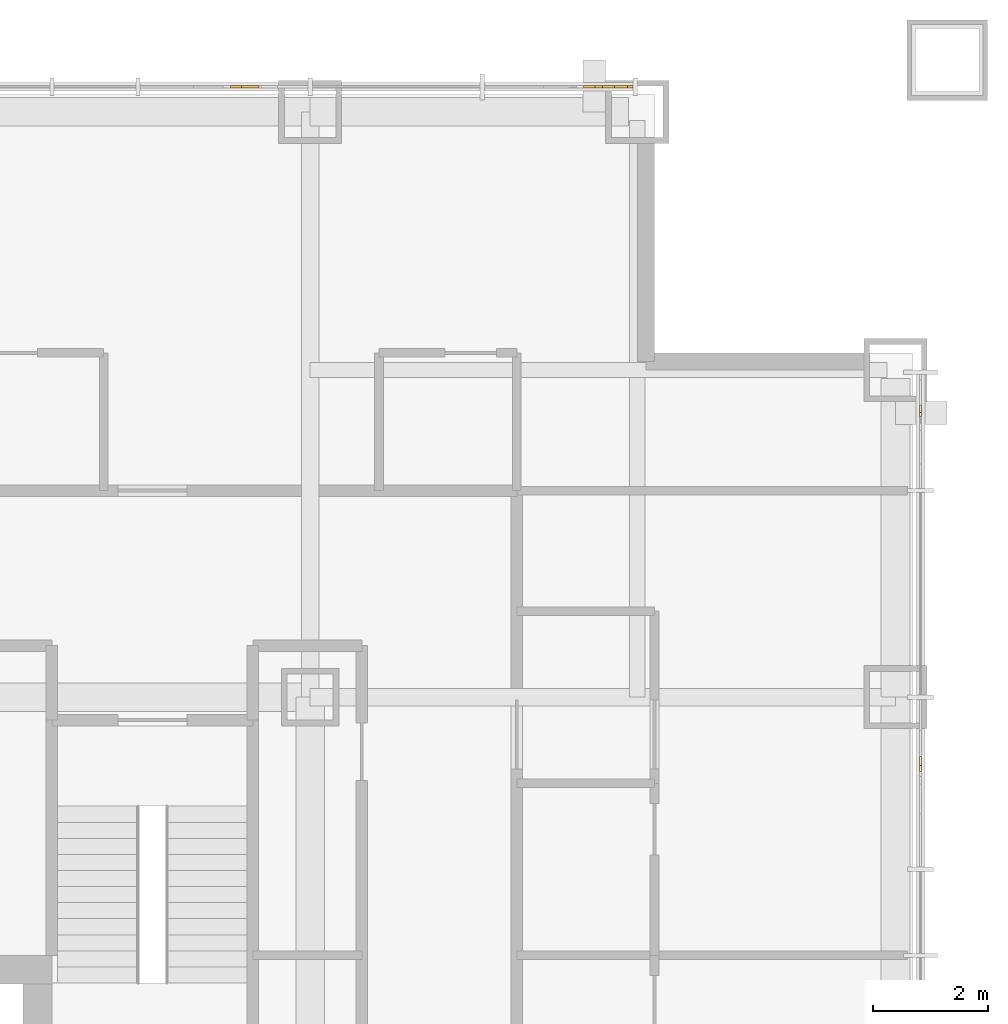
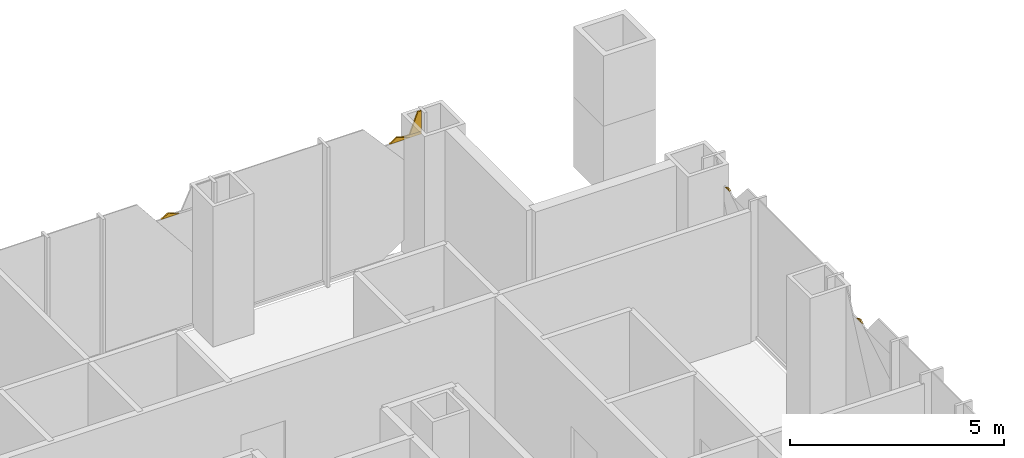
# One storey, part 23 of 23: 6 coverings.
"""IFC4 building model written with IfcOpenShell, lengths in metres."""

from ifc_helpers import new_model, si_unit, direction, frame, origin, place, context, subcontext, project, spatial, polyline, outline, extrude, material, layer, layer_set, type_object, element, save


model = new_model("IFC4")

# Units and contexts
model_context = context("Model", 3, precision=1e-05, world=origin(), true_north=direction((0.0, 1.0)))
body_context = subcontext(model_context, "Body", "Model", "MODEL_VIEW")
ifc_project = project(units=[si_unit("LENGTHUNIT", "METRE"), si_unit("AREAUNIT", "SQUARE_METRE"), si_unit("VOLUMEUNIT", "CUBIC_METRE"), si_unit("PLANEANGLEUNIT", "RADIAN"), si_unit("MASSUNIT", "GRAM", prefix="KILO")], contexts=[model_context])

# Site, building, storey
site_placement = place(None, origin())
site = spatial("IfcSite", under=ifc_project, at=site_placement, CompositionType="ELEMENT")
building_placement = place(site_placement, origin())
building = spatial("IfcBuilding", under=site, at=building_placement, Name="Malebo Sky Hospital", CompositionType="ELEMENT")
storey_placement = place(building_placement, frame((0.0, 0.0, 168.0)))
storey = spatial("IfcBuildingStorey", under=building, at=storey_placement, Name="L40", CompositionType="ELEMENT", Elevation=168.0)

# Coverings
ifc_material = material(Name="Anodised aluminium, natural silver insulated infill panel", Category="aluminium")
ifc_layer = layer(ifc_material, 0.0400390625)
ifc_layer_set = layer_set([ifc_layer], Name="BRACE INFILL PANEL 40")
covering_type = type_object("IfcCoveringType", Name="BRACE INFILL PANEL 40", PredefinedType="CLADDING", material=ifc_layer_set)
covering_1_placement = place(storey_placement, frame((72.360595703125, 86.135009765625, 3.342041015625), z_axis=(0.0, 0.0, 1.0), x_axis=(1.0, 0.0, 0.0)))
element("IfcCovering", 1, at=covering_1_placement, inside=storey, type_object=covering_type, Name="Brace infill panel 15.3", PredefinedType="CLADDING", context=body_context, shape_type="SweptSolid", body=[
    extrude(outline(polyline([(-0.245849609375, 0.0), (0.245849609375, 0.0), (-0.053955078125, 0.1162109375), (-0.245849609375, 0.0)])), frame((0.0, 0.02001953125, 0.0), z_axis=(0.0, -1.0, 0.0), x_axis=(1.0, 0.0, 0.0)), (0.0, 0.0, 1.0), 0.0400390625),
])
covering_2_placement = place(storey_placement, frame((78.550048828125, 86.135009765625, 3.3310546875), z_axis=(0.0, 0.0, 1.0), x_axis=(1.0, 0.0, 0.0)))
element("IfcCovering", 2, at=covering_2_placement, inside=storey, type_object=covering_type, Name="Brace infill panel 17.2", PredefinedType="CLADDING", context=body_context, shape_type="SweptSolid", body=[
    extrude(outline(polyline([(-0.283203125, 0.0), (0.283203125, 0.0), (-0.0908203125, 0.127685546875), (-0.283203125, 0.0)])), frame((0.0, 0.02001953125, 0.0), z_axis=(0.0, -1.0, 0.0), x_axis=(1.0, 0.0, 0.0)), (0.0, 0.0, 1.0), 0.0400390625),
])
covering_3_placement = place(storey_placement, frame((78.858154296875, 86.135009765625, 3.330810546875), z_axis=(0.0, 0.0, 1.0), x_axis=(1.0, 0.0, 0.0)))
element("IfcCovering", 3, at=covering_3_placement, inside=storey, type_object=covering_type, Name="Brace infill panel 17.3", PredefinedType="CLADDING", context=body_context, shape_type="SweptSolid", body=[
    extrude(outline(polyline([(-0.025146484375, 0.0), (0.2666015625, 0.0), (0.2666015625, 0.08251953125), (-0.2666015625, 0.08251953125), (-0.025146484375, 0.0)])), frame((0.0, 0.02001953125, 0.0), z_axis=(0.0, -1.0, 0.0), x_axis=(1.0, 0.0, 0.0)), (0.0, 0.0, 1.0), 0.0400390625),
])
covering_4_placement = place(storey_placement, frame((78.964599609375, 86.135009765625, 3.413330078125), z_axis=(0.0, 0.0, 1.0), x_axis=(1.0, 0.0, 0.0)))
element("IfcCovering", 4, at=covering_4_placement, inside=storey, type_object=covering_type, Name="Brace infill panel 17.4", PredefinedType="CLADDING", context=body_context, shape_type="SweptSolid", body=[
    extrude(outline(polyline([(-0.160400390625, 0.0), (0.160400390625, 0.0), (0.160400390625, 0.57666015625), (0.06298828125, 0.57666015625), (-0.160400390625, 0.0)])), frame((0.0, 0.02001953125, 0.0), z_axis=(0.0, -1.0, 0.0), x_axis=(1.0, 0.0, 0.0)), (0.0, 0.0, 1.0), 0.0400390625),
])
covering_5_placement = place(storey_placement, frame((84.135009765625, 80.4912109375, 3.413330078125), z_axis=(0.0, 0.0, 1.0), x_axis=(0.0, -1.0, 0.0)))
element("IfcCovering", 5, at=covering_5_placement, inside=storey, type_object=covering_type, Name="Brace infill panel 1.4", PredefinedType="CLADDING", context=body_context, shape_type="SweptSolid", body=[
    extrude(outline(polyline([(-0.100341796875, 0.0), (0.10009765625, 0.0), (0.031982421875, 0.04541015625), (-0.100341796875, 0.0)])), frame((0.0, 0.02001953125, 0.0), z_axis=(0.0, -1.0, 0.0), x_axis=(1.0, 0.0, 0.0)), (0.0, 0.0, 1.0), 0.0400390625),
])
covering_6_placement = place(storey_placement, frame((84.135009765625, 74.334716796875, 3.3974609375), z_axis=(0.0, 0.0, 1.0), x_axis=(0.0, -1.0, 0.0)))
element("IfcCovering", 6, at=covering_6_placement, inside=storey, type_object=covering_type, Name="Brace infill panel 3.4", PredefinedType="CLADDING", context=body_context, shape_type="SweptSolid", body=[
    extrude(outline(polyline([(-0.12841796875, 0.0), (0.12841796875, 0.0), (0.028076171875, 0.060791015625), (-0.12841796875, 0.0)])), frame((0.0, 0.02001953125, 0.0), z_axis=(0.0, -1.0, 0.0), x_axis=(1.0, 0.0, 0.0)), (0.0, 0.0, 1.0), 0.0400390625),
])

save(model, "model.ifc")
